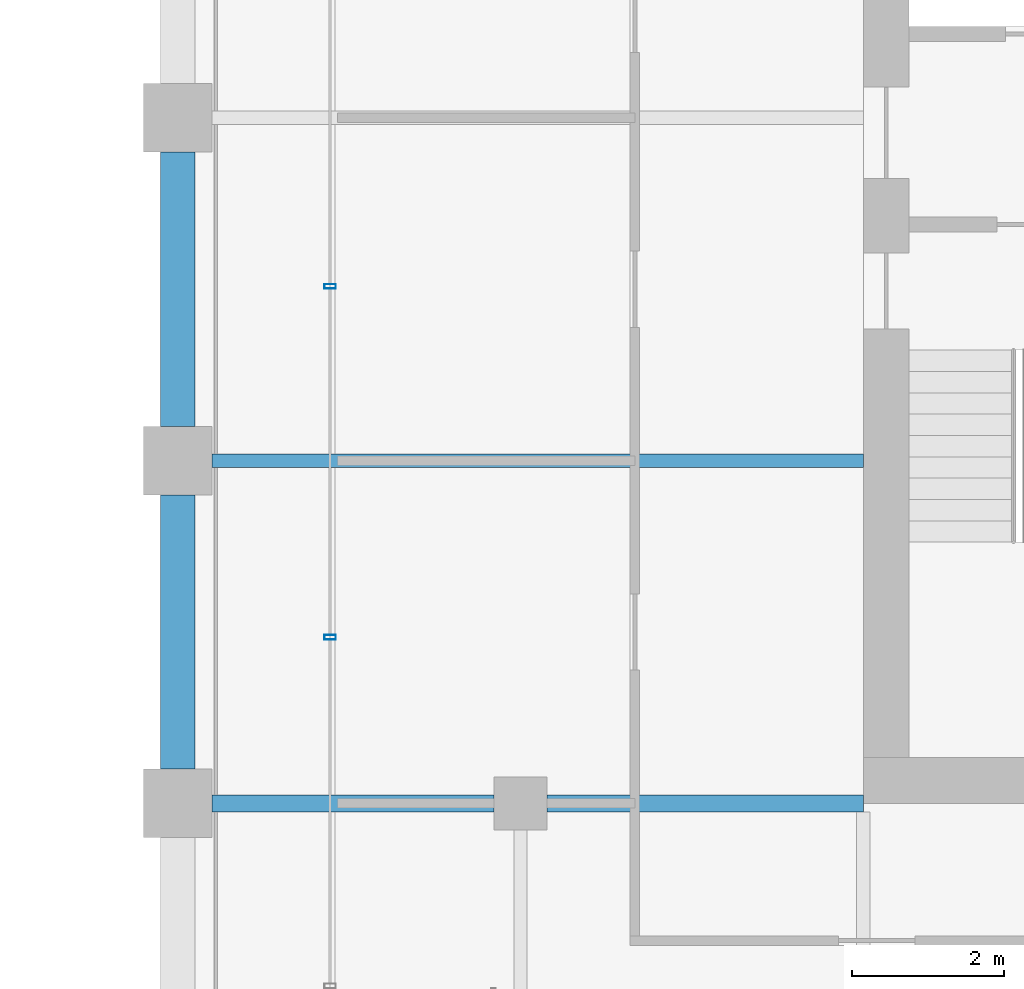
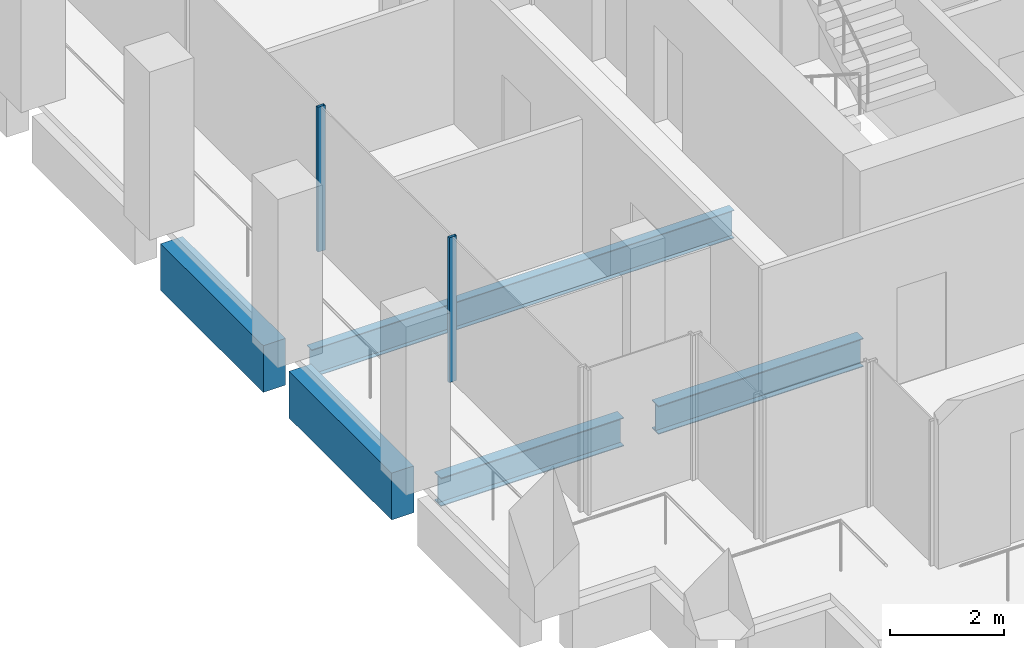
# One storey, part 30 of 40: 5 beams, 2 members, 1 element without a shape of its own.
"""IFC4 building model written with IfcOpenShell, lengths in metres."""

from ifc_helpers import new_model, si_unit, direction, frame, origin, origin_2d, place, context, subcontext, project, spatial, rectangle, hollow_rectangle, i_section, extrude, material, material_profile, profile_set, type_object, element, aggregate, save


model = new_model("IFC4")

# Units and contexts
model_context = context("Model", 3, precision=1e-05, world=origin(), true_north=direction((0.0, 1.0)))
body_context = subcontext(model_context, "Body", "Model", "MODEL_VIEW")
ifc_project = project(units=[si_unit("LENGTHUNIT", "METRE"), si_unit("AREAUNIT", "SQUARE_METRE"), si_unit("VOLUMEUNIT", "CUBIC_METRE"), si_unit("PLANEANGLEUNIT", "RADIAN"), si_unit("MASSUNIT", "GRAM", prefix="KILO")], contexts=[model_context])

# Site, building, storey
site_placement = place(None, origin())
site = spatial("IfcSite", under=ifc_project, at=site_placement, CompositionType="ELEMENT")
building_placement = place(site_placement, origin())
building = spatial("IfcBuilding", under=site, at=building_placement, Name="Altepetl Exchange Towers", CompositionType="ELEMENT")
storey_placement = place(building_placement, frame((0.0, 0.0, 165.39990234375)))
storey = spatial("IfcBuildingStorey", under=building, at=storey_placement, Name="L41", CompositionType="ELEMENT", Elevation=165.39990234375)

# Beams
ifc_material_1 = material(Name="Steel S355", Category="steel")
ifc_material_profile_1 = material_profile(ifc_material_1, i_section(OverallWidth=0.177978515625, OverallDepth=0.59912109375, WebThickness=0.010009765625, FlangeThickness=0.0126953125, at=origin_2d()), Name="W24X55")
ifc_profile_set_1 = profile_set([ifc_material_profile_1], Name="Steel S355")
beam_type_1 = type_object("IfcBeamType", Name="Floor beam W24X55", PredefinedType="BEAM", material=ifc_profile_set_1)
beam_1_placement = place(storey_placement, frame((94.949951171875, 40.5, -0.449462890625), z_axis=(1.0, 0.0, 0.0), x_axis=(0.0, 1.0, 0.0)))
element("IfcBeam", 1, at=beam_1_placement, inside=storey, type_object=beam_type_1, Name="bm:B:L41:004", PredefinedType="BEAM", context=body_context, shape_type="SweptSolid", body=[
    extrude(i_section(OverallWidth=0.177978515625, OverallDepth=0.59912109375, WebThickness=0.010009765625, FlangeThickness=0.0126953125, at=origin_2d()), origin(), (0.0, 0.0, 1.0), 8.550048828125),
])
ifc_material_profile_2 = material_profile(ifc_material_1, i_section(OverallWidth=0.22802734375, OverallDepth=0.60791015625, WebThickness=0.01123046875, FlangeThickness=0.017333984375, at=origin_2d()), Name="W24X76")
ifc_profile_set_2 = profile_set([ifc_material_profile_2], Name="Steel S355")
beam_type_2 = type_object("IfcBeamType", Name="Girder W24X76", PredefinedType="BEAM", material=ifc_profile_set_2)
beam_2_placement = place(storey_placement, frame((103.5, 36.0, -0.453857421875), z_axis=(-1.0, 0.0, 0.0), x_axis=(0.0, -1.0, 0.0)))
element("IfcBeam", 2, at=beam_2_placement, inside=storey, type_object=beam_type_2, Name="gd:B:L41:000", PredefinedType="BEAM", context=body_context, shape_type="SweptSolid", body=[
    extrude(i_section(OverallWidth=0.22802734375, OverallDepth=0.60791015625, WebThickness=0.01123046875, FlangeThickness=0.017333984375, at=origin_2d()), origin(), (0.0, 0.0, 1.0), 4.14990234375),
])
beam_3_placement = place(storey_placement, frame((98.64990234375, 36.0, -0.453857421875), z_axis=(-1.0, 0.0, 0.0), x_axis=(0.0, -1.0, 0.0)))
element("IfcBeam", 3, at=beam_3_placement, inside=storey, type_object=beam_type_2, Name="gd:B:L41:001", PredefinedType="BEAM", context=body_context, shape_type="SweptSolid", body=[
    extrude(i_section(OverallWidth=0.22802734375, OverallDepth=0.60791015625, WebThickness=0.01123046875, FlangeThickness=0.017333984375, at=origin_2d()), origin(), (0.0, 0.0, 1.0), 3.699951171875),
])

# Curtain wall, members
ifc_material_2 = material(Name="Aluminium 6063-T6 glazing", Category="aluminium")
curtain_wall_type = type_object("IfcCurtainWallType", Name="Loggia glazing system", PredefinedType="NOTDEFINED", material=ifc_material_2)
curtain_wall_placement = place(storey_placement, origin())
curtain_wall = element("IfcCurtainWall", 4, at=curtain_wall_placement, inside=storey, type_object=curtain_wall_type, Name="CW1 run", PredefinedType="NOTDEFINED")
ifc_material_3 = material(Name="Aluminium 6063-T6", Category="aluminium")
ifc_material_profile_3 = material_profile(ifc_material_3, hollow_rectangle(XDim=0.06005859375, YDim=0.14990234375, WallThickness=0.0029296875, at=origin_2d()), Name="Mullion 60x150 aluminium")
ifc_profile_set_3 = profile_set([ifc_material_profile_3], Name="Aluminium 6063-T6")
member_type = type_object("IfcMemberType", Name="Mullion 60x150 aluminium", PredefinedType="MULLION", material=ifc_profile_set_3)
member_1_placement = place(storey_placement, frame((96.5, 42.78759765625, 0.0), z_axis=(0.0, 0.0, 1.0), x_axis=(0.0, -1.0, 0.0)))
member_1 = element("IfcMember", 5, at=member_1_placement, type_object=member_type, Name="MU1 mullion", PredefinedType="MULLION", context=body_context, shape_type="SweptSolid", body=[
    extrude(hollow_rectangle(XDim=0.06005859375, YDim=0.14990234375, WallThickness=0.0029296875, at=origin_2d()), origin(), (0.0, 0.0, 1.0), 3.10009765625),
])
member_2_placement = place(storey_placement, frame((96.5, 38.18115234375, 0.0), z_axis=(0.0, 0.0, 1.0), x_axis=(0.0, -1.0, 0.0)))
member_2 = element("IfcMember", 6, at=member_2_placement, type_object=member_type, Name="MU1 mullion", PredefinedType="MULLION", context=body_context, shape_type="SweptSolid", body=[
    extrude(hollow_rectangle(XDim=0.06005859375, YDim=0.14990234375, WallThickness=0.0029296875, at=origin_2d()), origin(), (0.0, 0.0, 1.0), 3.10009765625),
])
aggregate(curtain_wall, [member_1, member_2])

# Beams
ifc_material_4 = material(Name="Concrete C50/60 precast with cantera rosa facing", Category="concrete")
ifc_material_profile_4 = material_profile(ifc_material_4, rectangle(XDim=0.449951171875, YDim=1.0, at=origin_2d()), Name="450 x 1000")
ifc_profile_set_4 = profile_set([ifc_material_profile_4], Name="Concrete C50/60 precast with cantera rosa facing")
beam_type_3 = type_object("IfcBeamType", Name="Spandrel beam 450x1000 cantera rosa", PredefinedType="SPANDREL", material=ifc_profile_set_4)
for number, where, z_axis, x_axis, name in (
    (7, (94.5, 44.550048828125, -0.64990234375), (0.0, -1.0, 0.0), (1.0, 0.0, 0.0), "sp:B:L41:017"),
    (8, (94.5, 40.050048828125, -0.64990234375), (0.0, -1.0, 0.0), (1.0, 0.0, 0.0), "sp:B:L41:018"),
):
    element("IfcBeam", number, at=place(storey_placement, frame(where, z_axis=z_axis, x_axis=x_axis)), inside=storey, type_object=beam_type_3, Name=name, PredefinedType="SPANDREL", context=body_context, shape_type="SweptSolid", body=[
        extrude(rectangle(XDim=0.449951171875, YDim=1.0, at=origin_2d()), origin(), (0.0, 0.0, 1.0), 3.60009765625),
    ])

save(model, "model.ifc")
